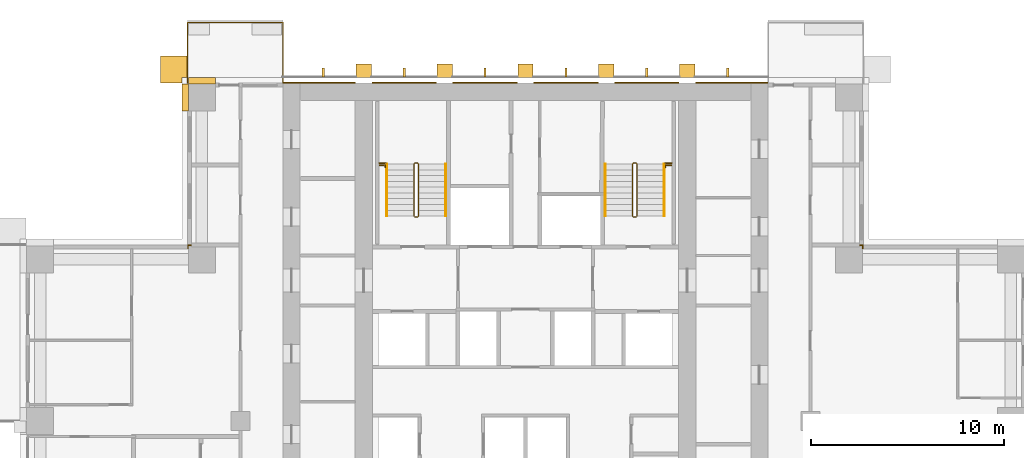
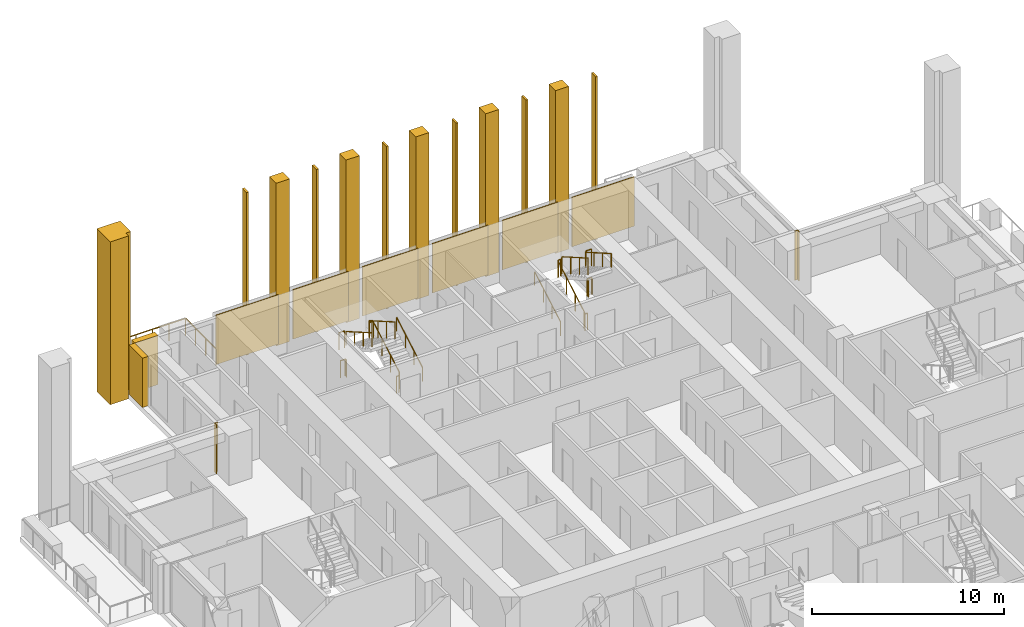
# One storey, part 16 of 17: 22 coverings, 11 railings.
"""IFC4 building model written with IfcOpenShell, lengths in metres."""

from ifc_helpers import new_model, si_unit, direction, frame, origin, origin_2d, place, context, subcontext, project, spatial, polyline, rectangle, outline, extrude, material, layer, layer_set, type_object, element, save


model = new_model("IFC4")

# Units and contexts
model_context = context("Model", 3, precision=1e-05, world=origin(), true_north=direction((0.0, 1.0)))
body_context = subcontext(model_context, "Body", "Model", "MODEL_VIEW")
ifc_project = project(units=[si_unit("LENGTHUNIT", "METRE"), si_unit("AREAUNIT", "SQUARE_METRE"), si_unit("VOLUMEUNIT", "CUBIC_METRE"), si_unit("PLANEANGLEUNIT", "RADIAN"), si_unit("MASSUNIT", "GRAM", prefix="KILO")], contexts=[model_context])

# Site, building, storey
site_placement = place(None, origin())
site = spatial("IfcSite", under=ifc_project, at=site_placement, CompositionType="ELEMENT")
building_placement = place(site_placement, origin())
building = spatial("IfcBuilding", under=site, at=building_placement, Name="Vermilion Ogive Tower", CompositionType="ELEMENT")
storey_placement = place(building_placement, frame((0.0, 0.0, 37.949951171875)))
storey = spatial("IfcBuildingStorey", under=building, at=storey_placement, Name="L07", CompositionType="ELEMENT", Elevation=37.949951171875)

# Railing
ifc_material_1 = material(Name="Stainless steel and glass", Category="steel")
railing_type_1 = type_object("IfcRailingType", Name="Balcony guard", PredefinedType="GUARDRAIL", material=ifc_material_1)
railing_1_placement = place(storey_placement, frame((-12.60009765625, 21.75, -0.0400390625)))
element("IfcRailing", 1, at=railing_1_placement, inside=storey, type_object=railing_type_1, Name="Guard N201", PredefinedType="GUARDRAIL", context=body_context, shape_type="SweptSolid", body=[
    extrude(rectangle(XDim=0.048095703125, YDim=0.048095703125, at=origin_2d()), frame((0.0, 0.0, 1.076171875), z_axis=(0.0, 1.0, 0.0), x_axis=(-1.0, 0.0, 0.0)), (0.0, 0.0, 1.0), 3.159912109375),
    extrude(rectangle(XDim=0.048095703125, YDim=0.048095703125, at=origin_2d()), frame((0.0, 3.159912109375, 1.076171875), z_axis=(-1.0, 0.0, 0.0), x_axis=(0.0, -1.0, 0.0)), (0.0, 0.0, 1.0), 4.949951171875),
    extrude(rectangle(XDim=0.048095703125, YDim=0.048095703125, at=origin_2d()), frame((-4.949951171875, 3.159912109375, 1.076171875), z_axis=(0.0, -1.0, 0.0), x_axis=(1.0, 0.0, 0.0)), (0.0, 0.0, 1.0), 3.159912109375),
    extrude(rectangle(XDim=0.0419921875, YDim=0.0419921875, at=origin_2d()), origin(), (0.0, 0.0, 1.0), 1.052001953125),
    extrude(rectangle(XDim=0.0419921875, YDim=0.0419921875, at=origin_2d()), frame((0.0, 1.05322265625, 0.0)), (0.0, 0.0, 1.0), 1.052001953125),
    extrude(rectangle(XDim=0.0419921875, YDim=0.0419921875, at=origin_2d()), frame((0.0, 2.106689453125, 0.0)), (0.0, 0.0, 1.0), 1.052001953125),
    extrude(rectangle(XDim=0.0419921875, YDim=0.0419921875, at=origin_2d()), frame((0.0, 3.159912109375, 0.0)), (0.0, 0.0, 1.0), 1.052001953125),
    extrude(rectangle(XDim=0.0419921875, YDim=0.0419921875, at=origin_2d()), frame((-0.989990234375, 3.159912109375, 0.0)), (0.0, 0.0, 1.0), 1.052001953125),
    extrude(rectangle(XDim=0.0419921875, YDim=0.0419921875, at=origin_2d()), frame((-1.97998046875, 3.159912109375, 0.0)), (0.0, 0.0, 1.0), 1.052001953125),
    extrude(rectangle(XDim=0.0419921875, YDim=0.0419921875, at=origin_2d()), frame((-2.969970703125, 3.159912109375, 0.0)), (0.0, 0.0, 1.0), 1.052001953125),
    extrude(rectangle(XDim=0.0419921875, YDim=0.0419921875, at=origin_2d()), frame((-3.9599609375, 3.159912109375, 0.0)), (0.0, 0.0, 1.0), 1.052001953125),
    extrude(rectangle(XDim=0.0419921875, YDim=0.0419921875, at=origin_2d()), frame((-4.949951171875, 3.159912109375, 0.0)), (0.0, 0.0, 1.0), 1.052001953125),
    extrude(rectangle(XDim=0.0419921875, YDim=0.0419921875, at=origin_2d()), frame((-4.949951171875, 2.106689453125, 0.0)), (0.0, 0.0, 1.0), 1.052001953125),
    extrude(rectangle(XDim=0.0419921875, YDim=0.0419921875, at=origin_2d()), frame((-4.949951171875, 1.05322265625, 0.0)), (0.0, 0.0, 1.0), 1.052001953125),
    extrude(rectangle(XDim=0.0419921875, YDim=0.0419921875, at=origin_2d()), frame((-4.949951171875, 0.0, 0.0)), (0.0, 0.0, 1.0), 1.052001953125),
])

# Coverings
ifc_material_2 = material(Name="Glazed ceramic screen")
ifc_layer = layer(ifc_material_2, 0.14990234375)
ifc_layer_set = layer_set([ifc_layer], Name="Ceramic solar screen fin")
covering_type_1 = type_object("IfcCoveringType", Name="Ceramic solar screen fin", PredefinedType="CLADDING", material=ifc_layer_set)
covering_1_placement = place(storey_placement, frame((0.0, 0.0, -0.320068359375)))
element("IfcCovering", 2, at=covering_1_placement, inside=storey, type_object=covering_type_1, Name="Solar screen blade N1", PredefinedType="CLADDING", context=body_context, shape_type="SweptSolid", body=[
    extrude(outline(polyline([(-10.56005859375, 22.08203125), (-10.43994140625, 22.08203125), (-10.43994140625, 22.531982421875), (-10.56005859375, 22.531982421875), (-10.56005859375, 22.08203125)])), origin(), (0.0, 0.0, 1.0), 10.35009765625),
])
covering_2_placement = place(storey_placement, frame((0.0, 0.0, -0.320068359375)))
element("IfcCovering", 3, at=covering_2_placement, inside=storey, type_object=covering_type_1, Name="Solar screen blade N2", PredefinedType="CLADDING", context=body_context, shape_type="SweptSolid", body=[
    extrude(outline(polyline([(-6.360107421875, 22.08203125), (-6.239990234375, 22.08203125), (-6.239990234375, 22.531982421875), (-6.360107421875, 22.531982421875), (-6.360107421875, 22.08203125)])), origin(), (0.0, 0.0, 1.0), 10.35009765625),
])
covering_3_placement = place(storey_placement, frame((0.0, 0.0, -0.320068359375)))
element("IfcCovering", 4, at=covering_3_placement, inside=storey, type_object=covering_type_1, Name="Solar screen blade N3", PredefinedType="CLADDING", context=body_context, shape_type="SweptSolid", body=[
    extrude(outline(polyline([(-2.159912109375, 22.08203125), (-2.0400390625, 22.08203125), (-2.0400390625, 22.531982421875), (-2.159912109375, 22.531982421875), (-2.159912109375, 22.08203125)])), origin(), (0.0, 0.0, 1.0), 10.35009765625),
])
covering_4_placement = place(storey_placement, frame((0.0, 0.0, -0.320068359375)))
element("IfcCovering", 5, at=covering_4_placement, inside=storey, type_object=covering_type_1, Name="Solar screen blade N4", PredefinedType="CLADDING", context=body_context, shape_type="SweptSolid", body=[
    extrude(outline(polyline([(2.0400390625, 22.08203125), (2.159912109375, 22.08203125), (2.159912109375, 22.531982421875), (2.0400390625, 22.531982421875), (2.0400390625, 22.08203125)])), origin(), (0.0, 0.0, 1.0), 10.35009765625),
])
covering_5_placement = place(storey_placement, frame((0.0, 0.0, -0.320068359375)))
element("IfcCovering", 6, at=covering_5_placement, inside=storey, type_object=covering_type_1, Name="Solar screen blade N5", PredefinedType="CLADDING", context=body_context, shape_type="SweptSolid", body=[
    extrude(outline(polyline([(6.239990234375, 22.08203125), (6.360107421875, 22.08203125), (6.360107421875, 22.531982421875), (6.239990234375, 22.531982421875), (6.239990234375, 22.08203125)])), origin(), (0.0, 0.0, 1.0), 10.35009765625),
])
covering_6_placement = place(storey_placement, frame((0.0, 0.0, -0.320068359375)))
element("IfcCovering", 7, at=covering_6_placement, inside=storey, type_object=covering_type_1, Name="Solar screen blade N6", PredefinedType="CLADDING", context=body_context, shape_type="SweptSolid", body=[
    extrude(outline(polyline([(10.43994140625, 22.08203125), (10.56005859375, 22.08203125), (10.56005859375, 22.531982421875), (10.43994140625, 22.531982421875), (10.43994140625, 22.08203125)])), origin(), (0.0, 0.0, 1.0), 10.35009765625),
])

# Railings
ifc_material_3 = material(Name="Steel S355 painted", Category="steel")
railing_type_2 = type_object("IfcRailingType", Name="Stair guard 1100", PredefinedType="GUARDRAIL", material=ifc_material_3)
railing_2_placement = place(storey_placement, frame((-5.75, 14.800048828125, 0.0)))
element("IfcRailing", 8, at=railing_2_placement, inside=storey, type_object=railing_type_2, Name="L07 ST1 stair guard 4", PredefinedType="GUARDRAIL", context=body_context, shape_type="SweptSolid", body=[
    extrude(rectangle(XDim=0.048095703125, YDim=0.048095703125, at=origin_2d()), frame((0.0, 0.0, 1.076171875), z_axis=(1.0, 0.0, 0.0), x_axis=(0.0, 1.0, 0.0)), (0.0, 0.0, 1.0), 0.14990234375),
    extrude(rectangle(XDim=0.048095703125, YDim=0.048095703125, at=origin_2d()), frame((0.14990234375, 0.0, 1.076171875), z_axis=(0.268277960024, 0.268277960024, 0.925231793839), x_axis=(-0.707106781187, 0.707106781187, 0.0)), (0.0, 0.0, 1.0), 0.1865234375),
    extrude(rectangle(XDim=0.048095703125, YDim=0.048095703125, at=origin_2d()), frame((0.199951171875, 0.050048828125, 1.24853515625), z_axis=(0.0, 0.866903762492, 0.498475542607), x_axis=(-1.0, 0.0, 0.0)), (0.0, 0.0, 1.0), 3.114501953125),
    extrude(rectangle(XDim=0.048095703125, YDim=0.048095703125, at=origin_2d()), frame((0.199951171875, 2.75, 2.80126953125), z_axis=(-0.707106781187, 0.707106781187, 0.0), x_axis=(-0.707106781187, -0.707106781187, 0.0)), (0.0, 0.0, 1.0), 0.07080078125),
    extrude(rectangle(XDim=0.048095703125, YDim=0.048095703125, at=origin_2d()), frame((0.14990234375, 2.800048828125, 2.80126953125), z_axis=(-1.0, 0.0, 0.0), x_axis=(0.0, -1.0, 0.0)), (0.0, 0.0, 1.0), 0.14990234375),
    extrude(rectangle(XDim=0.048095703125, YDim=0.048095703125, at=origin_2d()), frame((0.0, 2.800048828125, 2.80126953125), z_axis=(-0.268603158521, -0.268603158521, 0.925043072762), x_axis=(0.707106781187, -0.707106781187, 0.0)), (0.0, 0.0, 1.0), 0.186279296875),
    extrude(rectangle(XDim=0.048095703125, YDim=0.048095703125, at=origin_2d()), frame((-0.050048828125, 2.75, 2.9736328125), z_axis=(0.0, -0.866903762492, 0.498475542607), x_axis=(1.0, 0.0, 0.0)), (0.0, 0.0, 1.0), 3.114501953125),
    extrude(rectangle(XDim=0.0419921875, YDim=0.0419921875, at=origin_2d()), origin(), (0.0, 0.0, 1.0), 1.052001953125),
    extrude(rectangle(XDim=0.0419921875, YDim=0.0419921875, at=origin_2d()), frame((0.14990234375, 0.0, 0.0)), (0.0, 0.0, 1.0), 1.052001953125),
    extrude(rectangle(XDim=0.0419921875, YDim=0.0419921875, at=origin_2d()), frame((0.199951171875, 0.050048828125, 0.172607421875)), (0.0, 0.0, 1.0), 1.052001953125),
    extrude(rectangle(XDim=0.0419921875, YDim=0.0419921875, at=origin_2d()), frame((0.199951171875, 0.949951171875, 0.690185546875)), (0.0, 0.0, 1.0), 1.052001953125),
    extrude(rectangle(XDim=0.0419921875, YDim=0.0419921875, at=origin_2d()), frame((0.199951171875, 1.85009765625, 1.20751953125)), (0.0, 0.0, 1.0), 1.052001953125),
    extrude(rectangle(XDim=0.0419921875, YDim=0.0419921875, at=origin_2d()), frame((0.199951171875, 2.75, 1.72509765625)), (0.0, 0.0, 1.0), 1.052001953125),
    extrude(rectangle(XDim=0.0419921875, YDim=0.0419921875, at=origin_2d()), frame((0.14990234375, 2.800048828125, 1.72509765625)), (0.0, 0.0, 1.0), 1.052001953125),
    extrude(rectangle(XDim=0.0419921875, YDim=0.0419921875, at=origin_2d()), frame((0.0, 2.800048828125, 1.72509765625)), (0.0, 0.0, 1.0), 1.052001953125),
    extrude(rectangle(XDim=0.0419921875, YDim=0.0419921875, at=origin_2d()), frame((-0.050048828125, 2.75, 1.8974609375)), (0.0, 0.0, 1.0), 1.052001953125),
    extrude(rectangle(XDim=0.0419921875, YDim=0.0419921875, at=origin_2d()), frame((-0.050048828125, 1.85009765625, 2.4150390625)), (0.0, 0.0, 1.0), 1.052001953125),
    extrude(rectangle(XDim=0.0419921875, YDim=0.0419921875, at=origin_2d()), frame((-0.050048828125, 0.949951171875, 2.932373046875)), (0.0, 0.0, 1.0), 1.052001953125),
    extrude(rectangle(XDim=0.0419921875, YDim=0.0419921875, at=origin_2d()), frame((-0.050048828125, 0.050048828125, 3.449951171875)), (0.0, 0.0, 1.0), 1.052001953125),
])
railing_3_placement = place(storey_placement, frame((5.75, 14.800048828125, 0.0)))
element("IfcRailing", 9, at=railing_3_placement, inside=storey, type_object=railing_type_2, Name="L07 ST2 stair guard 4", PredefinedType="GUARDRAIL", context=body_context, shape_type="SweptSolid", body=[
    extrude(rectangle(XDim=0.048095703125, YDim=0.048095703125, at=origin_2d()), frame((0.0, 0.0, 1.076171875), z_axis=(-1.0, 0.0, 0.0), x_axis=(0.0, -1.0, 0.0)), (0.0, 0.0, 1.0), 0.14990234375),
    extrude(rectangle(XDim=0.048095703125, YDim=0.048095703125, at=origin_2d()), frame((-0.14990234375, 0.0, 1.076171875), z_axis=(-0.268277960024, 0.268277960024, 0.925231793839), x_axis=(-0.707106781187, -0.707106781187, 0.0)), (0.0, 0.0, 1.0), 0.1865234375),
    extrude(rectangle(XDim=0.048095703125, YDim=0.048095703125, at=origin_2d()), frame((-0.199951171875, 0.050048828125, 1.24853515625), z_axis=(0.0, 0.866903762492, 0.498475542607), x_axis=(-1.0, 0.0, 0.0)), (0.0, 0.0, 1.0), 3.114501953125),
    extrude(rectangle(XDim=0.048095703125, YDim=0.048095703125, at=origin_2d()), frame((-0.199951171875, 2.75, 2.80126953125), z_axis=(0.707106781187, 0.707106781187, 0.0), x_axis=(-0.707106781187, 0.707106781187, 0.0)), (0.0, 0.0, 1.0), 0.07080078125),
    extrude(rectangle(XDim=0.048095703125, YDim=0.048095703125, at=origin_2d()), frame((-0.14990234375, 2.800048828125, 2.80126953125), z_axis=(1.0, 0.0, 0.0), x_axis=(0.0, 1.0, 0.0)), (0.0, 0.0, 1.0), 0.14990234375),
    extrude(rectangle(XDim=0.048095703125, YDim=0.048095703125, at=origin_2d()), frame((0.0, 2.800048828125, 2.80126953125), z_axis=(0.268603158521, -0.268603158521, 0.925043072762), x_axis=(0.707106781187, 0.707106781187, 0.0)), (0.0, 0.0, 1.0), 0.186279296875),
    extrude(rectangle(XDim=0.048095703125, YDim=0.048095703125, at=origin_2d()), frame((0.050048828125, 2.75, 2.9736328125), z_axis=(0.0, -0.866903762492, 0.498475542607), x_axis=(1.0, 0.0, 0.0)), (0.0, 0.0, 1.0), 3.114501953125),
    extrude(rectangle(XDim=0.0419921875, YDim=0.0419921875, at=origin_2d()), origin(), (0.0, 0.0, 1.0), 1.052001953125),
    extrude(rectangle(XDim=0.0419921875, YDim=0.0419921875, at=origin_2d()), frame((-0.14990234375, 0.0, 0.0)), (0.0, 0.0, 1.0), 1.052001953125),
    extrude(rectangle(XDim=0.0419921875, YDim=0.0419921875, at=origin_2d()), frame((-0.199951171875, 0.050048828125, 0.172607421875)), (0.0, 0.0, 1.0), 1.052001953125),
    extrude(rectangle(XDim=0.0419921875, YDim=0.0419921875, at=origin_2d()), frame((-0.199951171875, 0.949951171875, 0.690185546875)), (0.0, 0.0, 1.0), 1.052001953125),
    extrude(rectangle(XDim=0.0419921875, YDim=0.0419921875, at=origin_2d()), frame((-0.199951171875, 1.85009765625, 1.20751953125)), (0.0, 0.0, 1.0), 1.052001953125),
    extrude(rectangle(XDim=0.0419921875, YDim=0.0419921875, at=origin_2d()), frame((-0.199951171875, 2.75, 1.72509765625)), (0.0, 0.0, 1.0), 1.052001953125),
    extrude(rectangle(XDim=0.0419921875, YDim=0.0419921875, at=origin_2d()), frame((-0.14990234375, 2.800048828125, 1.72509765625)), (0.0, 0.0, 1.0), 1.052001953125),
    extrude(rectangle(XDim=0.0419921875, YDim=0.0419921875, at=origin_2d()), frame((0.0, 2.800048828125, 1.72509765625)), (0.0, 0.0, 1.0), 1.052001953125),
    extrude(rectangle(XDim=0.0419921875, YDim=0.0419921875, at=origin_2d()), frame((0.050048828125, 2.75, 1.8974609375)), (0.0, 0.0, 1.0), 1.052001953125),
    extrude(rectangle(XDim=0.0419921875, YDim=0.0419921875, at=origin_2d()), frame((0.050048828125, 1.85009765625, 2.4150390625)), (0.0, 0.0, 1.0), 1.052001953125),
    extrude(rectangle(XDim=0.0419921875, YDim=0.0419921875, at=origin_2d()), frame((0.050048828125, 0.949951171875, 2.932373046875)), (0.0, 0.0, 1.0), 1.052001953125),
    extrude(rectangle(XDim=0.0419921875, YDim=0.0419921875, at=origin_2d()), frame((0.050048828125, 0.050048828125, 3.449951171875)), (0.0, 0.0, 1.0), 1.052001953125),
])
for number, where, name in (
    (10, (-7.60009765625, 17.60009765625, 1.72509765625), "L07 landing guard"),
    (11, (7.25, 17.60009765625, 1.72509765625), "L07 landing guard"),
):
    element("IfcRailing", number, at=place(storey_placement, frame(where)), inside=storey, type_object=railing_type_2, Name=name, PredefinedType="GUARDRAIL", context=body_context, shape_type="SweptSolid", body=[
        extrude(rectangle(XDim=0.048095703125, YDim=0.048095703125, at=origin_2d()), frame((0.0, 0.0, 1.076171875), z_axis=(1.0, 0.0, 0.0), x_axis=(0.0, 1.0, 0.0)), (0.0, 0.0, 1.0), 0.35009765625),
        extrude(rectangle(XDim=0.0419921875, YDim=0.0419921875, at=origin_2d()), origin(), (0.0, 0.0, 1.0), 1.052001953125),
        extrude(rectangle(XDim=0.0419921875, YDim=0.0419921875, at=origin_2d()), frame((0.35009765625, 0.0, 0.0)), (0.0, 0.0, 1.0), 1.052001953125),
    ])
railing_4_placement = place(storey_placement, frame((-7.56298828125, 17.49462890625, 0.0)))
element("IfcRailing", 12, at=railing_4_placement, inside=storey, type_object=railing_type_2, Name="L07 stair opening guard", PredefinedType="GUARDRAIL", context=body_context, shape_type="SweptSolid", body=[
    extrude(rectangle(XDim=0.048095703125, YDim=0.048095703125, at=origin_2d()), frame((0.0, 0.0, 1.076171875), z_axis=(1.0, 0.0, 0.0), x_axis=(0.0, 1.0, 0.0)), (0.0, 0.0, 1.0), 0.2900390625),
    extrude(rectangle(XDim=0.048095703125, YDim=0.048095703125, at=origin_2d()), frame((0.2900390625, 0.0, 1.076171875), z_axis=(0.0, -1.0, 0.0), x_axis=(1.0, 0.0, 0.0)), (0.0, 0.0, 1.0), 0.1201171875),
    extrude(rectangle(XDim=0.0419921875, YDim=0.0419921875, at=origin_2d()), origin(), (0.0, 0.0, 1.0), 1.052001953125),
    extrude(rectangle(XDim=0.0419921875, YDim=0.0419921875, at=origin_2d()), frame((0.2900390625, 0.0, 0.0)), (0.0, 0.0, 1.0), 1.052001953125),
    extrude(rectangle(XDim=0.0419921875, YDim=0.0419921875, at=origin_2d()), frame((0.2900390625, -0.1201171875, 0.0)), (0.0, 0.0, 1.0), 1.052001953125),
])
railing_5_placement = place(storey_placement, frame((7.27294921875, 17.37451171875, 0.0)))
element("IfcRailing", 13, at=railing_5_placement, inside=storey, type_object=railing_type_2, Name="L07 stair opening guard", PredefinedType="GUARDRAIL", context=body_context, shape_type="SweptSolid", body=[
    extrude(rectangle(XDim=0.048095703125, YDim=0.048095703125, at=origin_2d()), frame((0.0, 0.0, 1.076171875), z_axis=(0.0, 1.0, 0.0), x_axis=(-1.0, 0.0, 0.0)), (0.0, 0.0, 1.0), 0.1201171875),
    extrude(rectangle(XDim=0.048095703125, YDim=0.048095703125, at=origin_2d()), frame((0.0, 0.1201171875, 1.076171875), z_axis=(1.0, 0.0, 0.0), x_axis=(0.0, 1.0, 0.0)), (0.0, 0.0, 1.0), 0.2900390625),
    extrude(rectangle(XDim=0.0419921875, YDim=0.0419921875, at=origin_2d()), origin(), (0.0, 0.0, 1.0), 1.052001953125),
    extrude(rectangle(XDim=0.0419921875, YDim=0.0419921875, at=origin_2d()), frame((0.0, 0.1201171875, 0.0)), (0.0, 0.0, 1.0), 1.052001953125),
    extrude(rectangle(XDim=0.0419921875, YDim=0.0419921875, at=origin_2d()), frame((0.2900390625, 0.1201171875, 0.0)), (0.0, 0.0, 1.0), 1.052001953125),
])
ifc_material_4 = material(Name="Stainless steel", Category="steel")
railing_type_3 = type_object("IfcRailingType", Name="Stair handrail 900", PredefinedType="HANDRAIL", material=ifc_material_4)
railing_6_placement = place(storey_placement, frame((-4.14990234375, 14.85009765625, 0.172607421875)))
element("IfcRailing", 14, at=railing_6_placement, inside=storey, type_object=railing_type_3, Name="L07 ST1 stair handrail 1", PredefinedType="HANDRAIL", context=body_context, shape_type="SweptSolid", body=[
    extrude(rectangle(XDim=0.048095703125, YDim=0.048095703125, at=origin_2d()), frame((0.0, 0.0, 0.8759765625), z_axis=(0.0, 0.866903762492, 0.498475542607), x_axis=(-1.0, 0.0, 0.0)), (0.0, 0.0, 1.0), 3.114501953125),
    extrude(rectangle(XDim=0.0419921875, YDim=0.0419921875, at=origin_2d()), origin(), (0.0, 0.0, 1.0), 0.851806640625),
    extrude(rectangle(XDim=0.0419921875, YDim=0.0419921875, at=origin_2d()), frame((0.0, 0.89990234375, 0.517578125)), (0.0, 0.0, 1.0), 0.851806640625),
    extrude(rectangle(XDim=0.0419921875, YDim=0.0419921875, at=origin_2d()), frame((0.0, 1.800048828125, 1.034912109375)), (0.0, 0.0, 1.0), 0.851806640625),
    extrude(rectangle(XDim=0.0419921875, YDim=0.0419921875, at=origin_2d()), frame((0.0, 2.699951171875, 1.552490234375)), (0.0, 0.0, 1.0), 0.851806640625),
])
railing_7_placement = place(storey_placement, frame((-7.199951171875, 17.550048828125, 1.8974609375)))
element("IfcRailing", 15, at=railing_7_placement, inside=storey, type_object=railing_type_3, Name="L07 ST1 stair handrail 2", PredefinedType="HANDRAIL", context=body_context, shape_type="SweptSolid", body=[
    extrude(rectangle(XDim=0.048095703125, YDim=0.048095703125, at=origin_2d()), frame((0.0, 0.0, 0.8759765625), z_axis=(0.0, -0.866903762492, 0.498475542607), x_axis=(1.0, 0.0, 0.0)), (0.0, 0.0, 1.0), 3.114501953125),
    extrude(rectangle(XDim=0.0419921875, YDim=0.0419921875, at=origin_2d()), origin(), (0.0, 0.0, 1.0), 0.851806640625),
    extrude(rectangle(XDim=0.0419921875, YDim=0.0419921875, at=origin_2d()), frame((0.0, -0.89990234375, 0.517578125)), (0.0, 0.0, 1.0), 0.851806640625),
    extrude(rectangle(XDim=0.0419921875, YDim=0.0419921875, at=origin_2d()), frame((0.0, -1.800048828125, 1.034912109375)), (0.0, 0.0, 1.0), 0.851806640625),
    extrude(rectangle(XDim=0.0419921875, YDim=0.0419921875, at=origin_2d()), frame((0.0, -2.699951171875, 1.552490234375)), (0.0, 0.0, 1.0), 0.851806640625),
])
railing_8_placement = place(storey_placement, frame((4.14990234375, 14.85009765625, 0.172607421875)))
element("IfcRailing", 16, at=railing_8_placement, inside=storey, type_object=railing_type_3, Name="L07 ST2 stair handrail 1", PredefinedType="HANDRAIL", context=body_context, shape_type="SweptSolid", body=[
    extrude(rectangle(XDim=0.048095703125, YDim=0.048095703125, at=origin_2d()), frame((0.0, 0.0, 0.8759765625), z_axis=(0.0, 0.866903762492, 0.498475542607), x_axis=(-1.0, 0.0, 0.0)), (0.0, 0.0, 1.0), 3.114501953125),
    extrude(rectangle(XDim=0.0419921875, YDim=0.0419921875, at=origin_2d()), origin(), (0.0, 0.0, 1.0), 0.851806640625),
    extrude(rectangle(XDim=0.0419921875, YDim=0.0419921875, at=origin_2d()), frame((0.0, 0.89990234375, 0.517578125)), (0.0, 0.0, 1.0), 0.851806640625),
    extrude(rectangle(XDim=0.0419921875, YDim=0.0419921875, at=origin_2d()), frame((0.0, 1.800048828125, 1.034912109375)), (0.0, 0.0, 1.0), 0.851806640625),
    extrude(rectangle(XDim=0.0419921875, YDim=0.0419921875, at=origin_2d()), frame((0.0, 2.699951171875, 1.552490234375)), (0.0, 0.0, 1.0), 0.851806640625),
])
railing_9_placement = place(storey_placement, frame((7.199951171875, 17.550048828125, 1.8974609375)))
element("IfcRailing", 17, at=railing_9_placement, inside=storey, type_object=railing_type_3, Name="L07 ST2 stair handrail 2", PredefinedType="HANDRAIL", context=body_context, shape_type="SweptSolid", body=[
    extrude(rectangle(XDim=0.048095703125, YDim=0.048095703125, at=origin_2d()), frame((0.0, 0.0, 0.8759765625), z_axis=(0.0, -0.866903762492, 0.498475542607), x_axis=(1.0, 0.0, 0.0)), (0.0, 0.0, 1.0), 3.114501953125),
    extrude(rectangle(XDim=0.0419921875, YDim=0.0419921875, at=origin_2d()), origin(), (0.0, 0.0, 1.0), 0.851806640625),
    extrude(rectangle(XDim=0.0419921875, YDim=0.0419921875, at=origin_2d()), frame((0.0, -0.89990234375, 0.517578125)), (0.0, 0.0, 1.0), 0.851806640625),
    extrude(rectangle(XDim=0.0419921875, YDim=0.0419921875, at=origin_2d()), frame((0.0, -1.800048828125, 1.034912109375)), (0.0, 0.0, 1.0), 0.851806640625),
    extrude(rectangle(XDim=0.0419921875, YDim=0.0419921875, at=origin_2d()), frame((0.0, -2.699951171875, 1.552490234375)), (0.0, 0.0, 1.0), 0.851806640625),
])

# Coverings
ifc_material_5 = material(Name="Stone cladding", Category="masonry")
covering_type_2 = type_object("IfcCoveringType", Name="Stone buttress pier", PredefinedType="CLADDING", material=ifc_material_5)
covering_7_placement = place(storey_placement, frame((0.0, 0.0, -0.320068359375)))
element("IfcCovering", 18, at=covering_7_placement, inside=storey, type_object=covering_type_2, Name="Stone buttress pier N1", PredefinedType="CLADDING", context=body_context, shape_type="SweptSolid", body=[
    extrude(outline(polyline([(-8.0, 22.75), (-8.0, 22.050048828125), (-8.800048828125, 22.050048828125), (-8.800048828125, 22.75), (-8.0, 22.75)])), origin(), (0.0, 0.0, 1.0), 10.35009765625),
])
covering_8_placement = place(storey_placement, frame((0.0, 0.0, -0.320068359375)))
element("IfcCovering", 19, at=covering_8_placement, inside=storey, type_object=covering_type_2, Name="Stone buttress pier N2", PredefinedType="CLADDING", context=body_context, shape_type="SweptSolid", body=[
    extrude(outline(polyline([(-3.800048828125, 22.75), (-3.800048828125, 22.050048828125), (-4.60009765625, 22.050048828125), (-4.60009765625, 22.75), (-3.800048828125, 22.75)])), origin(), (0.0, 0.0, 1.0), 10.35009765625),
])
covering_9_placement = place(storey_placement, frame((0.0, 0.0, -0.320068359375)))
element("IfcCovering", 20, at=covering_9_placement, inside=storey, type_object=covering_type_2, Name="Stone buttress pier N3", PredefinedType="CLADDING", context=body_context, shape_type="SweptSolid", body=[
    extrude(outline(polyline([(0.39990234375, 22.75), (0.39990234375, 22.050048828125), (-0.39990234375, 22.050048828125), (-0.39990234375, 22.75), (0.39990234375, 22.75)])), origin(), (0.0, 0.0, 1.0), 10.35009765625),
])
covering_10_placement = place(storey_placement, frame((0.0, 0.0, -0.320068359375)))
element("IfcCovering", 21, at=covering_10_placement, inside=storey, type_object=covering_type_2, Name="Stone buttress pier N4", PredefinedType="CLADDING", context=body_context, shape_type="SweptSolid", body=[
    extrude(outline(polyline([(4.60009765625, 22.75), (4.60009765625, 22.050048828125), (3.800048828125, 22.050048828125), (3.800048828125, 22.75), (4.60009765625, 22.75)])), origin(), (0.0, 0.0, 1.0), 10.35009765625),
])
covering_11_placement = place(storey_placement, frame((0.0, 0.0, -0.320068359375)))
element("IfcCovering", 22, at=covering_11_placement, inside=storey, type_object=covering_type_2, Name="Stone buttress pier N5", PredefinedType="CLADDING", context=body_context, shape_type="SweptSolid", body=[
    extrude(outline(polyline([(8.800048828125, 22.75), (8.800048828125, 22.050048828125), (8.0, 22.050048828125), (8.0, 22.75), (8.800048828125, 22.75)])), origin(), (0.0, 0.0, 1.0), 10.35009765625),
])
ifc_material_6 = material(Name="Stone cladding", Category="masonry")
covering_type_3 = type_object("IfcCoveringType", Name="Stone cladding panel", PredefinedType="CLADDING", material=ifc_material_6)
covering_12_placement = place(storey_placement, origin())
element("IfcCovering", 23, at=covering_12_placement, inside=storey, type_object=covering_type_3, Name="Stone cladding panel N1", PredefinedType="CLADDING", context=body_context, shape_type="SweptSolid", body=[
    extrude(outline(polyline([(-12.590087890625, 21.75), (-8.830078125, 21.75), (-8.830078125, 21.81005859375), (-12.590087890625, 21.81005859375), (-12.590087890625, 21.75)])), origin(), (0.0, 0.0, 1.0), 3.130126953125),
])
covering_13_placement = place(storey_placement, origin())
element("IfcCovering", 24, at=covering_13_placement, inside=storey, type_object=covering_type_3, Name="Stone cladding panel N2", PredefinedType="CLADDING", context=body_context, shape_type="SweptSolid", body=[
    extrude(outline(polyline([(-7.969970703125, 21.75), (-4.6298828125, 21.75), (-4.6298828125, 21.81005859375), (-7.969970703125, 21.81005859375), (-7.969970703125, 21.75)])), origin(), (0.0, 0.0, 1.0), 3.130126953125),
])
covering_14_placement = place(storey_placement, origin())
element("IfcCovering", 25, at=covering_14_placement, inside=storey, type_object=covering_type_3, Name="Stone cladding panel N3", PredefinedType="CLADDING", context=body_context, shape_type="SweptSolid", body=[
    extrude(outline(polyline([(-3.77001953125, 21.75), (-0.429931640625, 21.75), (-0.429931640625, 21.81005859375), (-3.77001953125, 21.81005859375), (-3.77001953125, 21.75)])), origin(), (0.0, 0.0, 1.0), 3.130126953125),
])
covering_15_placement = place(storey_placement, origin())
element("IfcCovering", 26, at=covering_15_placement, inside=storey, type_object=covering_type_3, Name="Stone cladding panel N4", PredefinedType="CLADDING", context=body_context, shape_type="SweptSolid", body=[
    extrude(outline(polyline([(0.429931640625, 21.75), (3.77001953125, 21.75), (3.77001953125, 21.81005859375), (0.429931640625, 21.81005859375), (0.429931640625, 21.75)])), origin(), (0.0, 0.0, 1.0), 3.130126953125),
])
covering_16_placement = place(storey_placement, origin())
element("IfcCovering", 27, at=covering_16_placement, inside=storey, type_object=covering_type_3, Name="Stone cladding panel N5", PredefinedType="CLADDING", context=body_context, shape_type="SweptSolid", body=[
    extrude(outline(polyline([(4.6298828125, 21.75), (7.969970703125, 21.75), (7.969970703125, 21.81005859375), (4.6298828125, 21.81005859375), (4.6298828125, 21.75)])), origin(), (0.0, 0.0, 1.0), 3.130126953125),
])
covering_17_placement = place(storey_placement, origin())
element("IfcCovering", 28, at=covering_17_placement, inside=storey, type_object=covering_type_3, Name="Stone cladding panel N6", PredefinedType="CLADDING", context=body_context, shape_type="SweptSolid", body=[
    extrude(outline(polyline([(8.830078125, 21.75), (12.590087890625, 21.75), (12.590087890625, 21.81005859375), (8.830078125, 21.81005859375), (8.830078125, 21.75)])), origin(), (0.0, 0.0, 1.0), 3.130126953125),
])
ifc_material_7 = material(Name="Stone cladding", Category="masonry")
covering_type_4 = type_object("IfcCoveringType", Name="Stone corner buttress", PredefinedType="CLADDING", material=ifc_material_7)
covering_18_placement = place(storey_placement, frame((0.0, 0.0, -0.320068359375)))
element("IfcCovering", 29, at=covering_18_placement, inside=storey, type_object=covering_type_4, Name="Stone corner buttress X51", PredefinedType="CLADDING", context=body_context, shape_type="SweptSolid", body=[
    extrude(outline(polyline([(-17.550048828125, 23.14990234375), (-17.550048828125, 22.050048828125), (-17.85009765625, 22.050048828125), (-17.85009765625, 21.75), (-18.949951171875, 21.75), (-18.949951171875, 23.14990234375), (-17.550048828125, 23.14990234375)])), origin(), (0.0, 0.0, 1.0), 10.35009765625),
])
ifc_material_8 = material(Name="Stone cladding", Category="masonry")
covering_type_5 = type_object("IfcCoveringType", Name="Stone pier", PredefinedType="CLADDING", material=ifc_material_8)
covering_19_placement = place(storey_placement, origin())
element("IfcCovering", 30, at=covering_19_placement, inside=storey, type_object=covering_type_5, Name="Stone corner pier X3E1", PredefinedType="CLADDING", context=body_context, shape_type="SweptSolid", body=[
    extrude(outline(polyline([(17.5, 13.14990234375), (17.5, 13.300048828125), (17.35009765625, 13.300048828125), (17.35009765625, 13.35009765625), (17.550048828125, 13.35009765625), (17.550048828125, 13.14990234375), (17.5, 13.14990234375)])), origin(), (0.0, 0.0, 1.0), 3.130126953125),
])
covering_20_placement = place(storey_placement, origin())
element("IfcCovering", 31, at=covering_20_placement, inside=storey, type_object=covering_type_5, Name="Stone corner pier X5E1", PredefinedType="CLADDING", context=body_context, shape_type="SweptSolid", body=[
    extrude(outline(polyline([(-17.35009765625, 13.300048828125), (-17.5, 13.300048828125), (-17.5, 13.14990234375), (-17.550048828125, 13.14990234375), (-17.550048828125, 13.35009765625), (-17.35009765625, 13.35009765625), (-17.35009765625, 13.300048828125)])), origin(), (0.0, 0.0, 1.0), 3.130126953125),
])
covering_21_placement = place(storey_placement, origin())
element("IfcCovering", 32, at=covering_21_placement, inside=storey, type_object=covering_type_5, Name="Stone pier P-0168+210N2", PredefinedType="CLADDING", context=body_context, shape_type="SweptSolid", body=[
    extrude(outline(polyline([(-17.5, 21.699951171875), (-17.5, 22.050048828125), (-16.10009765625, 22.050048828125), (-16.10009765625, 21.699951171875), (-17.5, 21.699951171875), (-17.5, 21.699951171875)])), origin(), (0.0, 0.0, 1.0), 3.130126953125),
])
covering_22_placement = place(storey_placement, origin())
element("IfcCovering", 33, at=covering_22_placement, inside=storey, type_object=covering_type_5, Name="Stone pier P-0168+210X5", PredefinedType="CLADDING", context=body_context, shape_type="SweptSolid", body=[
    extrude(outline(polyline([(-17.85009765625, 21.699951171875), (-17.5, 21.699951171875), (-17.5, 21.699951171875), (-17.5, 20.300048828125), (-17.85009765625, 20.300048828125), (-17.85009765625, 21.699951171875)])), origin(), (0.0, 0.0, 1.0), 3.130126953125),
])

save(model, "model.ifc")
